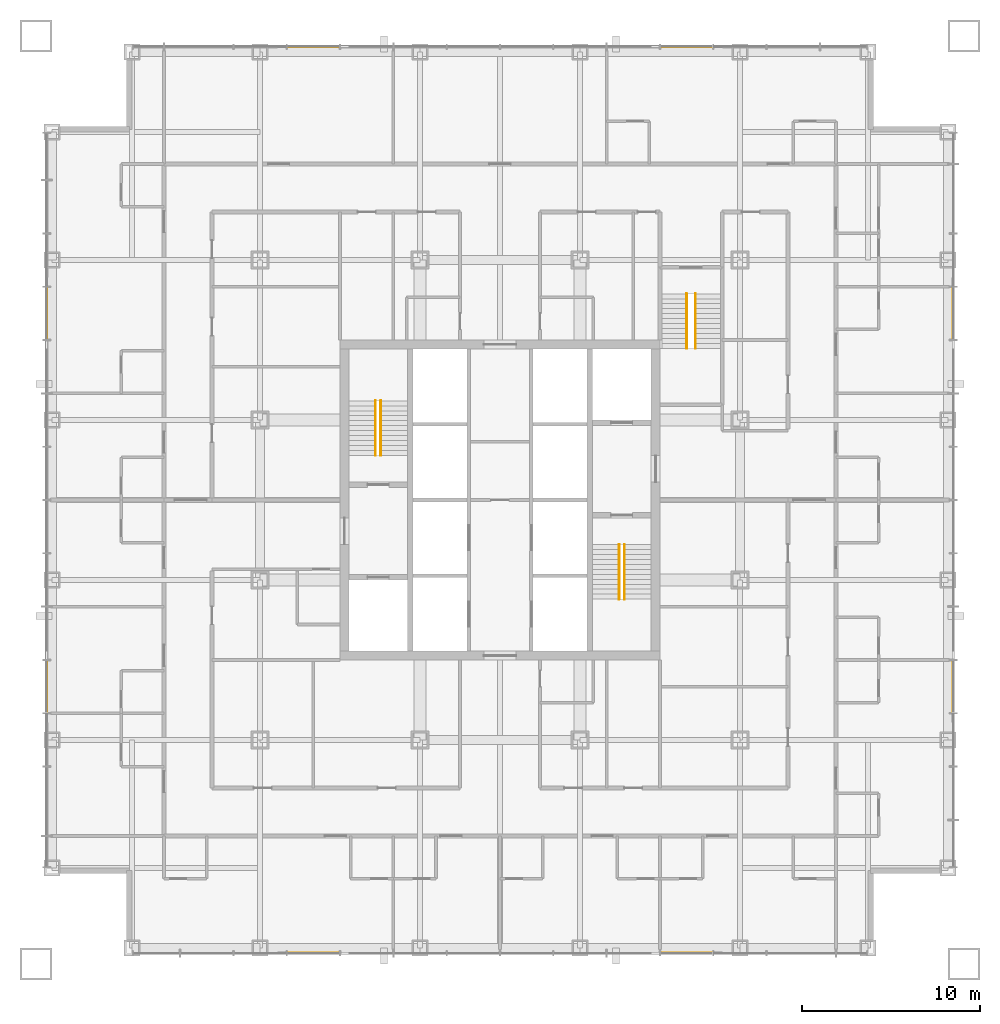
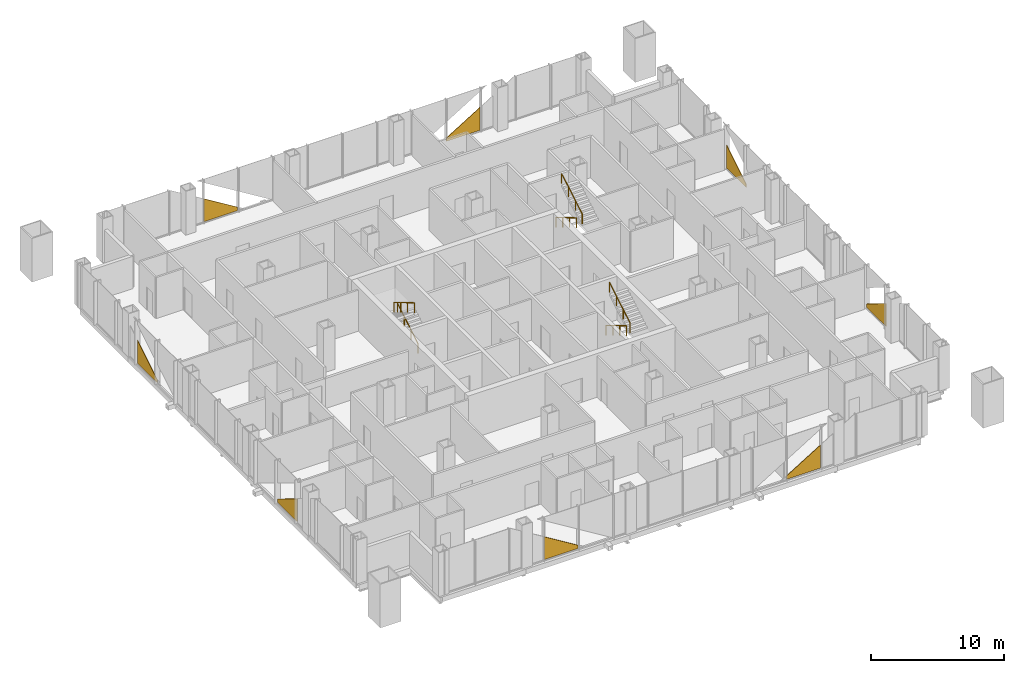
# One storey, part 13 of 17: 8 coverings, 6 railings.
"""IFC4 building model written with IfcOpenShell, lengths in metres."""

from ifc_helpers import new_model, si_unit, direction, frame, origin, origin_2d, place, context, subcontext, project, spatial, polyline, circle, outline, extrude, material, layer, layer_set, type_object, element, save


model = new_model("IFC4")

# Units and contexts
model_context = context("Model", 3, precision=1e-05, world=origin(), true_north=direction((0.0, 1.0)))
body_context = subcontext(model_context, "Body", "Model", "MODEL_VIEW")
ifc_project = project(units=[si_unit("LENGTHUNIT", "METRE"), si_unit("AREAUNIT", "SQUARE_METRE"), si_unit("VOLUMEUNIT", "CUBIC_METRE"), si_unit("PLANEANGLEUNIT", "RADIAN"), si_unit("MASSUNIT", "GRAM", prefix="KILO")], contexts=[model_context])

# Site, building, storey
site_placement = place(None, origin())
site = spatial("IfcSite", under=ifc_project, at=site_placement, CompositionType="ELEMENT")
building_placement = place(site_placement, origin())
building = spatial("IfcBuilding", under=site, at=building_placement, Name="Malebo Sky Hospital", CompositionType="ELEMENT")
storey_placement = place(building_placement, frame((0.0, 0.0, 83.0)))
storey = spatial("IfcBuildingStorey", under=building, at=storey_placement, Name="L19", CompositionType="ELEMENT", Elevation=83.0)

# Coverings
ifc_material_1 = material(Name="Anodised aluminium, natural silver insulated infill panel", Category="aluminium")
ifc_layer = layer(ifc_material_1, 0.0400390625)
ifc_layer_set = layer_set([ifc_layer], Name="BRACE INFILL PANEL 40")
covering_type = type_object("IfcCoveringType", Name="BRACE INFILL PANEL 40", PredefinedType="CLADDING", material=ifc_layer_set)
covering_1_placement = place(storey_placement, frame((49.5, 87.5, 0.10009765625), z_axis=(0.0, 0.0, 1.0), x_axis=(1.0, 0.0, 0.0)))
element("IfcCovering", 1, at=covering_1_placement, inside=storey, type_object=covering_type, Name="Brace infill panel 4.1", PredefinedType="CLADDING", context=body_context, shape_type="SweptSolid", body=[
    extrude(outline(polyline([(-1.46240234375, 0.0), (1.46240234375, 0.0), (1.46240234375, 0.306640625), (-1.46240234375, 2.099609375), (-1.46240234375, 0.0)])), frame((0.0, 0.02001953125, 0.0), z_axis=(0.0, -1.0, 0.0), x_axis=(1.0, 0.0, 0.0)), (0.0, 0.0, 1.0), 0.0400390625),
])
covering_2_placement = place(storey_placement, frame((70.5, 87.5, 0.10009765625), z_axis=(0.0, 0.0, 1.0), x_axis=(1.0, 0.0, 0.0)))
element("IfcCovering", 2, at=covering_2_placement, inside=storey, type_object=covering_type, Name="Brace infill panel 11.1", PredefinedType="CLADDING", context=body_context, shape_type="SweptSolid", body=[
    extrude(outline(polyline([(-1.46240234375, 0.0), (1.46240234375, 0.0), (1.46240234375, 2.099609375), (-1.46240234375, 0.306640625), (-1.46240234375, 0.0)])), frame((0.0, 0.02001953125, 0.0), z_axis=(0.0, -1.0, 0.0), x_axis=(1.0, 0.0, 0.0)), (0.0, 0.0, 1.0), 0.0400390625),
])
covering_3_placement = place(storey_placement, frame((34.5, 51.5, 0.10009765625), z_axis=(0.0, 0.0, 1.0), x_axis=(0.0, 1.0, 0.0)))
element("IfcCovering", 3, at=covering_3_placement, inside=storey, type_object=covering_type, Name="Brace infill panel 4.1", PredefinedType="CLADDING", context=body_context, shape_type="SweptSolid", body=[
    extrude(outline(polyline([(-1.46240234375, 0.0), (1.46240234375, 0.0), (1.46240234375, 0.306640625), (-1.46240234375, 2.099609375), (-1.46240234375, 0.0)])), frame((0.0, 0.02001953125, 0.0), z_axis=(0.0, -1.0, 0.0), x_axis=(1.0, 0.0, 0.0)), (0.0, 0.0, 1.0), 0.0400390625),
])
covering_4_placement = place(storey_placement, frame((34.5, 72.5, 0.10009765625), z_axis=(0.0, 0.0, 1.0), x_axis=(0.0, 1.0, 0.0)))
element("IfcCovering", 4, at=covering_4_placement, inside=storey, type_object=covering_type, Name="Brace infill panel 11.1", PredefinedType="CLADDING", context=body_context, shape_type="SweptSolid", body=[
    extrude(outline(polyline([(-1.46240234375, 0.0), (1.46240234375, 0.0), (1.46240234375, 2.099609375), (-1.46240234375, 0.306640625), (-1.46240234375, 0.0)])), frame((0.0, 0.02001953125, 0.0), z_axis=(0.0, -1.0, 0.0), x_axis=(1.0, 0.0, 0.0)), (0.0, 0.0, 1.0), 0.0400390625),
])
covering_5_placement = place(storey_placement, frame((70.5, 36.5, 0.10009765625), z_axis=(0.0, 0.0, 1.0), x_axis=(-1.0, 0.0, 0.0)))
element("IfcCovering", 5, at=covering_5_placement, inside=storey, type_object=covering_type, Name="Brace infill panel 4.1", PredefinedType="CLADDING", context=body_context, shape_type="SweptSolid", body=[
    extrude(outline(polyline([(-1.46240234375, 0.0), (1.46240234375, 0.0), (1.46240234375, 0.306640625), (-1.46240234375, 2.099609375), (-1.46240234375, 0.0)])), frame((0.0, 0.02001953125, 0.0), z_axis=(0.0, -1.0, 0.0), x_axis=(1.0, 0.0, 0.0)), (0.0, 0.0, 1.0), 0.0400390625),
])
covering_6_placement = place(storey_placement, frame((49.5, 36.5, 0.10009765625), z_axis=(0.0, 0.0, 1.0), x_axis=(-1.0, 0.0, 0.0)))
element("IfcCovering", 6, at=covering_6_placement, inside=storey, type_object=covering_type, Name="Brace infill panel 11.1", PredefinedType="CLADDING", context=body_context, shape_type="SweptSolid", body=[
    extrude(outline(polyline([(-1.46240234375, 0.0), (1.46240234375, 0.0), (1.46240234375, 2.099609375), (-1.46240234375, 0.306640625), (-1.46240234375, 0.0)])), frame((0.0, 0.02001953125, 0.0), z_axis=(0.0, -1.0, 0.0), x_axis=(1.0, 0.0, 0.0)), (0.0, 0.0, 1.0), 0.0400390625),
])
covering_7_placement = place(storey_placement, frame((85.5, 72.5, 0.10009765625), z_axis=(0.0, 0.0, 1.0), x_axis=(0.0, -1.0, 0.0)))
element("IfcCovering", 7, at=covering_7_placement, inside=storey, type_object=covering_type, Name="Brace infill panel 4.1", PredefinedType="CLADDING", context=body_context, shape_type="SweptSolid", body=[
    extrude(outline(polyline([(-1.46240234375, 0.0), (1.46240234375, 0.0), (1.46240234375, 0.306640625), (-1.46240234375, 2.099609375), (-1.46240234375, 0.0)])), frame((0.0, 0.02001953125, 0.0), z_axis=(0.0, -1.0, 0.0), x_axis=(1.0, 0.0, 0.0)), (0.0, 0.0, 1.0), 0.0400390625),
])
covering_8_placement = place(storey_placement, frame((85.5, 51.5, 0.10009765625), z_axis=(0.0, 0.0, 1.0), x_axis=(0.0, -1.0, 0.0)))
element("IfcCovering", 8, at=covering_8_placement, inside=storey, type_object=covering_type, Name="Brace infill panel 11.1", PredefinedType="CLADDING", context=body_context, shape_type="SweptSolid", body=[
    extrude(outline(polyline([(-1.46240234375, 0.0), (1.46240234375, 0.0), (1.46240234375, 2.099609375), (-1.46240234375, 0.306640625), (-1.46240234375, 0.0)])), frame((0.0, 0.02001953125, 0.0), z_axis=(0.0, -1.0, 0.0), x_axis=(1.0, 0.0, 0.0)), (0.0, 0.0, 1.0), 0.0400390625),
])

# Railings
ifc_material_2 = material(Name="Stainless steel tube", Category="steel")
railing_type = type_object("IfcRailingType", Name="STAIR HANDRAIL 900", PredefinedType="HANDRAIL", material=ifc_material_2)
railing_1_placement = place(storey_placement, frame((53.300048828125, 64.5, 0.166748046875)))
element("IfcRailing", 9, at=railing_1_placement, inside=storey, type_object=railing_type, Name="Stair handrail S1 flight 1", PredefinedType="HANDRAIL", context=body_context, shape_type="SweptSolid", body=[
    extrude(circle(Radius=0.02392578125, at=origin_2d()), frame((0.0, 0.0, 0.8759765625), z_axis=(0.0, 0.859308565015, 0.511457515432), x_axis=(-1.0, 0.0, 0.0)), (0.0, 0.0, 1.0), 3.58447265625),
    extrude(circle(Radius=0.02099609375, at=origin_2d()), origin(), (0.0, 0.0, 1.0), 0.851806640625),
    extrude(circle(Radius=0.02099609375, at=origin_2d()), frame((0.0, 1.026611328125, 0.611083984375)), (0.0, 0.0, 1.0), 0.851806640625),
    extrude(circle(Radius=0.02099609375, at=origin_2d()), frame((0.0, 2.053466796875, 1.22216796875)), (0.0, 0.0, 1.0), 0.851806640625),
    extrude(circle(Radius=0.02099609375, at=origin_2d()), frame((0.0, 3.080078125, 1.833251953125)), (0.0, 0.0, 1.0), 0.851806640625),
])
for number, where, name in (
    (10, (53.0, 67.580078125, 2.166748046875), "Stair handrail S1 flight 2"),
    (11, (66.699951171875, 59.5, 0.166748046875), "Stair handrail S2 flight 1"),
):
    element("IfcRailing", number, at=place(storey_placement, frame(where)), inside=storey, type_object=railing_type, Name=name, PredefinedType="HANDRAIL", context=body_context, shape_type="SweptSolid", body=[
        extrude(circle(Radius=0.02392578125, at=origin_2d()), frame((0.0, 0.0, 0.8759765625), z_axis=(0.0, -0.859308565015, 0.511457515432), x_axis=(1.0, 0.0, 0.0)), (0.0, 0.0, 1.0), 3.58447265625),
        extrude(circle(Radius=0.02099609375, at=origin_2d()), origin(), (0.0, 0.0, 1.0), 0.851806640625),
        extrude(circle(Radius=0.02099609375, at=origin_2d()), frame((0.0, -1.026611328125, 0.611083984375)), (0.0, 0.0, 1.0), 0.851806640625),
        extrude(circle(Radius=0.02099609375, at=origin_2d()), frame((0.0, -2.053466796875, 1.22216796875)), (0.0, 0.0, 1.0), 0.851806640625),
        extrude(circle(Radius=0.02099609375, at=origin_2d()), frame((0.0, -3.080078125, 1.833251953125)), (0.0, 0.0, 1.0), 0.851806640625),
    ])
railing_2_placement = place(storey_placement, frame((67.0, 56.419921875, 2.166748046875)))
element("IfcRailing", 12, at=railing_2_placement, inside=storey, type_object=railing_type, Name="Stair handrail S2 flight 2", PredefinedType="HANDRAIL", context=body_context, shape_type="SweptSolid", body=[
    extrude(circle(Radius=0.02392578125, at=origin_2d()), frame((0.0, 0.0, 0.8759765625), z_axis=(0.0, 0.859308565015, 0.511457515432), x_axis=(-1.0, 0.0, 0.0)), (0.0, 0.0, 1.0), 3.58447265625),
    extrude(circle(Radius=0.02099609375, at=origin_2d()), origin(), (0.0, 0.0, 1.0), 0.851806640625),
    extrude(circle(Radius=0.02099609375, at=origin_2d()), frame((0.0, 1.026611328125, 0.611083984375)), (0.0, 0.0, 1.0), 0.851806640625),
    extrude(circle(Radius=0.02099609375, at=origin_2d()), frame((0.0, 2.053466796875, 1.22216796875)), (0.0, 0.0, 1.0), 0.851806640625),
    extrude(circle(Radius=0.02099609375, at=origin_2d()), frame((0.0, 3.080078125, 1.833251953125)), (0.0, 0.0, 1.0), 0.851806640625),
])
railing_3_placement = place(storey_placement, frame((70.5, 73.60009765625, 0.166748046875)))
element("IfcRailing", 13, at=railing_3_placement, inside=storey, type_object=railing_type, Name="Stair handrail S3 flight 1", PredefinedType="HANDRAIL", context=body_context, shape_type="SweptSolid", body=[
    extrude(circle(Radius=0.02392578125, at=origin_2d()), frame((0.0, 0.0, 0.8759765625), z_axis=(0.0, -0.859308565015, 0.511457515432), x_axis=(1.0, 0.0, 0.0)), (0.0, 0.0, 1.0), 3.58447265625),
    extrude(circle(Radius=0.02099609375, at=origin_2d()), origin(), (0.0, 0.0, 1.0), 0.851806640625),
    extrude(circle(Radius=0.02099609375, at=origin_2d()), frame((0.0, -1.026611328125, 0.611083984375)), (0.0, 0.0, 1.0), 0.851806640625),
    extrude(circle(Radius=0.02099609375, at=origin_2d()), frame((0.0, -2.053466796875, 1.22216796875)), (0.0, 0.0, 1.0), 0.851806640625),
    extrude(circle(Radius=0.02099609375, at=origin_2d()), frame((0.0, -3.080078125, 1.833251953125)), (0.0, 0.0, 1.0), 0.851806640625),
])
railing_4_placement = place(storey_placement, frame((71.0, 70.52001953125, 2.166748046875)))
element("IfcRailing", 14, at=railing_4_placement, inside=storey, type_object=railing_type, Name="Stair handrail S3 flight 2", PredefinedType="HANDRAIL", context=body_context, shape_type="SweptSolid", body=[
    extrude(circle(Radius=0.02392578125, at=origin_2d()), frame((0.0, 0.0, 0.8759765625), z_axis=(0.0, 0.859308565015, 0.511457515432), x_axis=(-1.0, 0.0, 0.0)), (0.0, 0.0, 1.0), 3.58447265625),
    extrude(circle(Radius=0.02099609375, at=origin_2d()), origin(), (0.0, 0.0, 1.0), 0.851806640625),
    extrude(circle(Radius=0.02099609375, at=origin_2d()), frame((0.0, 1.026611328125, 0.611083984375)), (0.0, 0.0, 1.0), 0.851806640625),
    extrude(circle(Radius=0.02099609375, at=origin_2d()), frame((0.0, 2.053466796875, 1.22216796875)), (0.0, 0.0, 1.0), 0.851806640625),
    extrude(circle(Radius=0.02099609375, at=origin_2d()), frame((0.0, 3.080078125, 1.833251953125)), (0.0, 0.0, 1.0), 0.851806640625),
])

save(model, "model.ifc")
